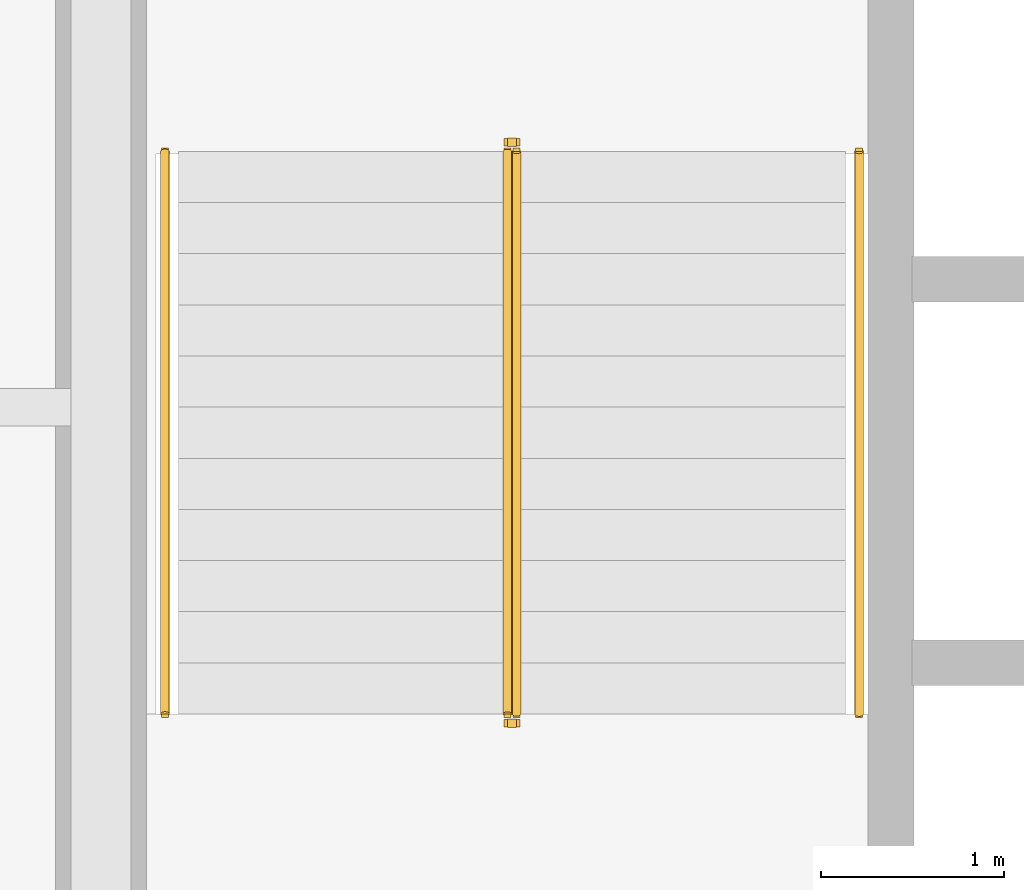
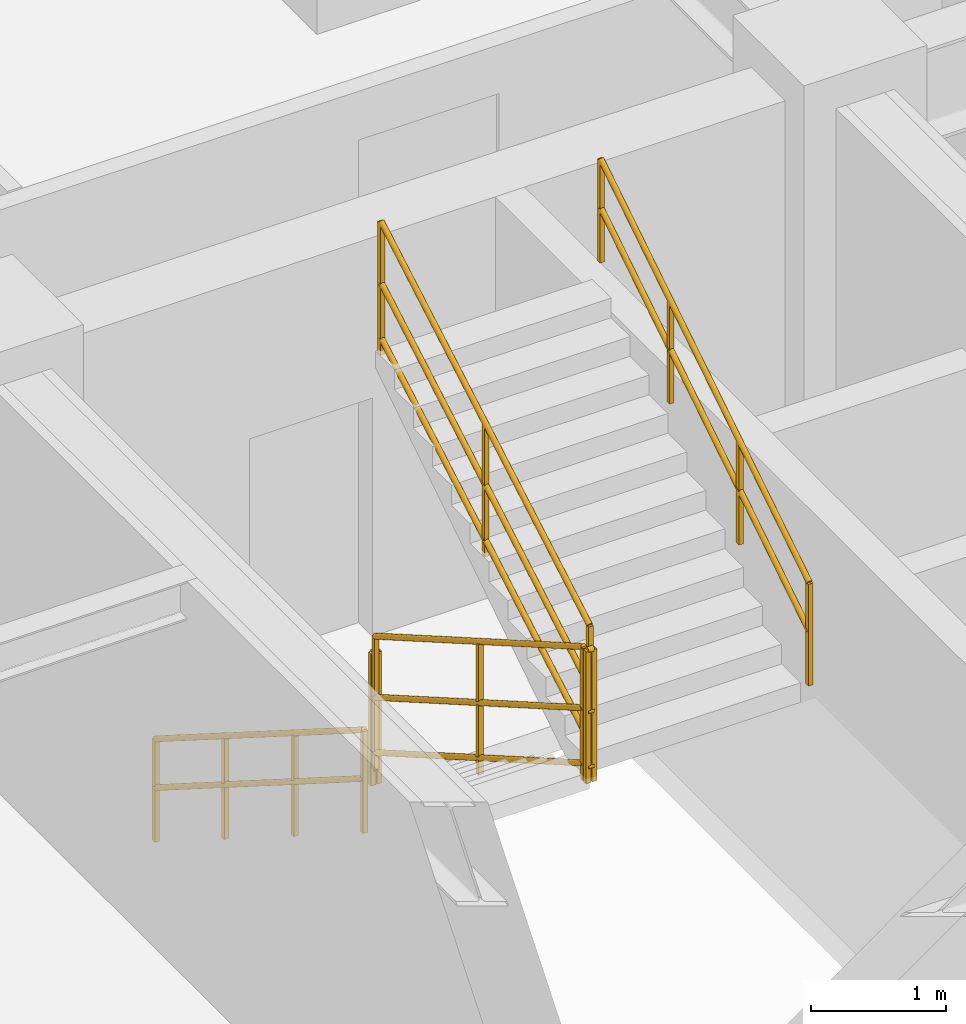
# One storey, part 10 of 10: 6 railings.
"""IFC4 building model written with IfcOpenShell, lengths in metres."""

from ifc_helpers import new_model, entity, si_unit, converted_unit, direction, frame, origin_with_axes, origin_2d_with_axis, place, context, subcontext, project, spatial, rectangle, circle, extrude, material, type_object, element, save


model = new_model("IFC4")

# Units and contexts
model_context = context("Model", 3, precision=1e-05, world=origin_with_axes(), true_north=direction((0.0, 1.0)))
body_context = subcontext(model_context, "Body", "Model", "MODEL_VIEW")
ifc_project = project(units=[si_unit("LENGTHUNIT", "METRE"), si_unit("AREAUNIT", "SQUARE_METRE"), si_unit("VOLUMEUNIT", "CUBIC_METRE"), converted_unit("PLANEANGLEUNIT", "DEGREE", entity("IfcPlaneAngleMeasure", 0.017453292519943295), si_unit("PLANEANGLEUNIT", "RADIAN"), dimensions=[0, 0, 0, 0, 0, 0, 0]), si_unit("MASSUNIT", "GRAM", prefix="KILO"), si_unit("THERMODYNAMICTEMPERATUREUNIT", "KELVIN")], contexts=[model_context])

# Site, building, storey
site_placement = place(None, origin_with_axes())
site = spatial("IfcSite", under=ifc_project, at=site_placement, CompositionType="ELEMENT")
building_placement = place(site_placement, origin_with_axes())
building = spatial("IfcBuilding", under=site, at=building_placement, Name="Varnlund Millrace Tower", CompositionType="ELEMENT")
storey_placement = place(building_placement, frame((0.0, 0.0, 183.6), z_axis=(0.0, 0.0, 1.0), x_axis=(1.0, 0.0, 0.0)))
storey = spatial("IfcBuildingStorey", under=building, at=storey_placement, Name="L45", CompositionType="ELEMENT", Elevation=183.6)

# Railings
ifc_material_1 = material(Name="Painted steel stair well balustrade guard", Category="steel")
railing_type_1 = type_object("IfcRailingType", Name="Type-StairGuard-1150", PredefinedType="GUARDRAIL", material=ifc_material_1)
railing_1_placement = place(storey_placement, frame((0.0, 0.0, -183.6), z_axis=(0.0, 0.0, 1.0), x_axis=(1.0, 0.0, 0.0)))
element("IfcRailing", 1, at=railing_1_placement, inside=storey, type_object=railing_type_1, Name="Type-StairGuard-1150", PredefinedType="GUARDRAIL", context=body_context, shape_type="SweptSolid", body=[
    extrude(circle(Radius=0.024, at=origin_2d_with_axis()), frame((13.625, 35.9, 184.927273), z_axis=(0.0, -0.866696, 0.498836), x_axis=(1.0, 0.0, 0.0)), (0.0, 0.0, 1.0), 3.553725),
    extrude(circle(Radius=0.024, at=origin_2d_with_axis()), frame((13.625, 35.9, 183.877273), z_axis=(0.0, -0.866696, 0.498836), x_axis=(1.0, 0.0, 0.0)), (0.0, 0.0, 1.0), 3.553725),
    extrude(circle(Radius=0.024, at=origin_2d_with_axis()), frame((13.625, 35.9, 184.375273), z_axis=(0.0, -0.866696, 0.498836), x_axis=(1.0, 0.0, 0.0)), (0.0, 0.0, 1.0), 3.553725),
    extrude(rectangle(XDim=0.04, YDim=0.04, at=origin_2d_with_axis()), frame((13.625, 35.9, 183.737273), z_axis=(0.0, 0.0, 1.0), x_axis=(1.0, 0.0, 0.0)), (0.0, 0.0, 1.0), 1.19),
    extrude(rectangle(XDim=0.04, YDim=0.04, at=origin_2d_with_axis()), frame((13.625, 34.36, 184.623636), z_axis=(0.0, 0.0, 1.0), x_axis=(1.0, 0.0, 0.0)), (0.0, 0.0, 1.0), 1.19),
    extrude(rectangle(XDim=0.04, YDim=0.04, at=origin_2d_with_axis()), frame((13.625, 32.82, 185.51), z_axis=(0.0, 0.0, 1.0), x_axis=(1.0, 0.0, 0.0)), (0.0, 0.0, 1.0), 1.19),
])
railing_2_placement = place(storey_placement, frame((0.0, 0.0, -183.6), z_axis=(0.0, 0.0, 1.0), x_axis=(1.0, 0.0, 0.0)))
element("IfcRailing", 2, at=railing_2_placement, inside=storey, type_object=railing_type_1, Name="Type-StairGuard-1150", PredefinedType="GUARDRAIL", context=body_context, shape_type="SweptSolid", body=[
    extrude(circle(Radius=0.024, at=origin_2d_with_axis()), frame((13.675, 32.77, 186.7), z_axis=(-1.0, 0.0, 0.0), x_axis=(0.0, -1.0, 0.0)), (0.0, 0.0, 1.0), 0.05),
    extrude(circle(Radius=0.024, at=origin_2d_with_axis()), frame((13.675, 32.77, 185.65), z_axis=(-1.0, 0.0, 0.0), x_axis=(0.0, -1.0, 0.0)), (0.0, 0.0, 1.0), 0.05),
    extrude(circle(Radius=0.024, at=origin_2d_with_axis()), frame((13.675, 32.77, 186.148), z_axis=(-1.0, 0.0, 0.0), x_axis=(0.0, -1.0, 0.0)), (0.0, 0.0, 1.0), 0.05),
    extrude(rectangle(XDim=0.04, YDim=0.04, at=origin_2d_with_axis()), frame((13.675, 32.77, 185.51), z_axis=(0.0, 0.0, 1.0), x_axis=(1.0, 0.0, 0.0)), (0.0, 0.0, 1.0), 1.19),
    extrude(rectangle(XDim=0.04, YDim=0.04, at=origin_2d_with_axis()), frame((13.625, 32.77, 185.51), z_axis=(0.0, 0.0, 1.0), x_axis=(1.0, 0.0, 0.0)), (0.0, 0.0, 1.0), 1.19),
])
railing_3_placement = place(storey_placement, frame((0.0, 0.0, -183.6), z_axis=(0.0, 0.0, 1.0), x_axis=(1.0, 0.0, 0.0)))
element("IfcRailing", 3, at=railing_3_placement, inside=storey, type_object=railing_type_1, Name="Type-StairGuard-1150", PredefinedType="GUARDRAIL", context=body_context, shape_type="SweptSolid", body=[
    extrude(circle(Radius=0.024, at=origin_2d_with_axis()), frame((13.675, 32.82, 186.877273), z_axis=(0.0, 0.866696, 0.498836), x_axis=(-1.0, 0.0, 0.0)), (0.0, 0.0, 1.0), 3.553725),
    extrude(circle(Radius=0.024, at=origin_2d_with_axis()), frame((13.675, 32.82, 185.827273), z_axis=(0.0, 0.866696, 0.498836), x_axis=(-1.0, 0.0, 0.0)), (0.0, 0.0, 1.0), 3.553725),
    extrude(circle(Radius=0.024, at=origin_2d_with_axis()), frame((13.675, 32.82, 186.325273), z_axis=(0.0, 0.866696, 0.498836), x_axis=(-1.0, 0.0, 0.0)), (0.0, 0.0, 1.0), 3.553725),
    extrude(rectangle(XDim=0.04, YDim=0.04, at=origin_2d_with_axis()), frame((13.675, 32.82, 185.687273), z_axis=(0.0, 0.0, 1.0), x_axis=(1.0, 0.0, 0.0)), (0.0, 0.0, 1.0), 1.19),
    extrude(rectangle(XDim=0.04, YDim=0.04, at=origin_2d_with_axis()), frame((13.675, 34.36, 186.573636), z_axis=(0.0, 0.0, 1.0), x_axis=(1.0, 0.0, 0.0)), (0.0, 0.0, 1.0), 1.19),
    extrude(rectangle(XDim=0.04, YDim=0.04, at=origin_2d_with_axis()), frame((13.675, 35.9, 187.46), z_axis=(0.0, 0.0, 1.0), x_axis=(1.0, 0.0, 0.0)), (0.0, 0.0, 1.0), 1.19),
])
railing_4_placement = place(storey_placement, frame((0.0, 0.0, -183.6), z_axis=(0.0, 0.0, 1.0), x_axis=(1.0, 0.0, 0.0)))
element("IfcRailing", 4, at=railing_4_placement, inside=storey, type_object=railing_type_1, Name="Type-StairGuard-1150", PredefinedType="GUARDRAIL", context=body_context, shape_type="SweptSolid", body=[
    extrude(circle(Radius=0.024, at=origin_2d_with_axis()), frame((13.675, 35.95, 184.75), z_axis=(-1.0, 0.0, 0.0), x_axis=(0.0, -1.0, 0.0)), (0.0, 0.0, 1.0), 0.05),
    extrude(circle(Radius=0.024, at=origin_2d_with_axis()), frame((13.675, 35.95, 183.7), z_axis=(-1.0, 0.0, 0.0), x_axis=(0.0, -1.0, 0.0)), (0.0, 0.0, 1.0), 0.05),
    extrude(circle(Radius=0.024, at=origin_2d_with_axis()), frame((13.675, 35.95, 184.198), z_axis=(-1.0, 0.0, 0.0), x_axis=(0.0, -1.0, 0.0)), (0.0, 0.0, 1.0), 0.05),
    extrude(rectangle(XDim=0.04, YDim=0.04, at=origin_2d_with_axis()), frame((13.675, 35.95, 183.56), z_axis=(0.0, 0.0, 1.0), x_axis=(1.0, 0.0, 0.0)), (0.0, 0.0, 1.0), 1.19),
    extrude(rectangle(XDim=0.04, YDim=0.04, at=origin_2d_with_axis()), frame((13.625, 35.95, 183.56), z_axis=(0.0, 0.0, 1.0), x_axis=(1.0, 0.0, 0.0)), (0.0, 0.0, 1.0), 1.19),
])
ifc_material_2 = material(Name="Brushed architectural bronze stair handrail", Category="aluminium")
railing_type_2 = type_object("IfcRailingType", Name="Type-StairHandrail-900", PredefinedType="HANDRAIL", material=ifc_material_2)
railing_5_placement = place(storey_placement, frame((0.0, 0.0, -183.6), z_axis=(0.0, 0.0, 1.0), x_axis=(1.0, 0.0, 0.0)))
element("IfcRailing", 5, at=railing_5_placement, inside=storey, type_object=railing_type_2, Name="Type-StairHandrail-900", PredefinedType="HANDRAIL", context=body_context, shape_type="SweptSolid", body=[
    extrude(circle(Radius=0.024, at=origin_2d_with_axis()), frame((11.75, 35.9, 184.656995), z_axis=(0.0, -0.844902, 0.534922), x_axis=(1.0, 0.0, 0.0)), (0.0, 0.0, 1.0), 3.645394),
    extrude(circle(Radius=0.024, at=origin_2d_with_axis()), frame((11.75, 35.9, 184.217134), z_axis=(0.0, -0.844902, 0.534922), x_axis=(1.0, 0.0, 0.0)), (0.0, 0.0, 1.0), 3.645394),
    extrude(rectangle(XDim=0.04, YDim=0.04, at=origin_2d_with_axis()), frame((11.75, 35.9, 183.737273), z_axis=(0.0, 0.0, 1.0), x_axis=(1.0, 0.0, 0.0)), (0.0, 0.0, 1.0), 0.919722),
    extrude(rectangle(XDim=0.04, YDim=0.04, at=origin_2d_with_axis()), frame((11.75, 34.873333, 184.387273), z_axis=(0.0, 0.0, 1.0), x_axis=(1.0, 0.0, 0.0)), (0.0, 0.0, 1.0), 0.919722),
    extrude(rectangle(XDim=0.04, YDim=0.04, at=origin_2d_with_axis()), frame((11.75, 33.846667, 185.037273), z_axis=(0.0, 0.0, 1.0), x_axis=(1.0, 0.0, 0.0)), (0.0, 0.0, 1.0), 0.919722),
    extrude(rectangle(XDim=0.04, YDim=0.04, at=origin_2d_with_axis()), frame((11.75, 32.82, 185.687273), z_axis=(0.0, 0.0, 1.0), x_axis=(1.0, 0.0, 0.0)), (0.0, 0.0, 1.0), 0.919722),
])
railing_6_placement = place(storey_placement, frame((0.0, 0.0, -183.6), z_axis=(0.0, 0.0, 1.0), x_axis=(1.0, 0.0, 0.0)))
element("IfcRailing", 6, at=railing_6_placement, inside=storey, type_object=railing_type_2, Name="Type-StairHandrail-900", PredefinedType="HANDRAIL", context=body_context, shape_type="SweptSolid", body=[
    extrude(circle(Radius=0.024, at=origin_2d_with_axis()), frame((15.55, 32.82, 186.606995), z_axis=(0.0, 0.844902, 0.534922), x_axis=(-1.0, 0.0, 0.0)), (0.0, 0.0, 1.0), 3.645394),
    extrude(circle(Radius=0.024, at=origin_2d_with_axis()), frame((15.55, 32.82, 186.167134), z_axis=(0.0, 0.844902, 0.534922), x_axis=(-1.0, 0.0, 0.0)), (0.0, 0.0, 1.0), 3.645394),
    extrude(rectangle(XDim=0.04, YDim=0.04, at=origin_2d_with_axis()), frame((15.55, 32.82, 185.687273), z_axis=(0.0, 0.0, 1.0), x_axis=(1.0, 0.0, 0.0)), (0.0, 0.0, 1.0), 0.919722),
    extrude(rectangle(XDim=0.04, YDim=0.04, at=origin_2d_with_axis()), frame((15.55, 33.846667, 186.337273), z_axis=(0.0, 0.0, 1.0), x_axis=(1.0, 0.0, 0.0)), (0.0, 0.0, 1.0), 0.919722),
    extrude(rectangle(XDim=0.04, YDim=0.04, at=origin_2d_with_axis()), frame((15.55, 34.873333, 186.987273), z_axis=(0.0, 0.0, 1.0), x_axis=(1.0, 0.0, 0.0)), (0.0, 0.0, 1.0), 0.919722),
    extrude(rectangle(XDim=0.04, YDim=0.04, at=origin_2d_with_axis()), frame((15.55, 35.9, 187.637273), z_axis=(0.0, 0.0, 1.0), x_axis=(1.0, 0.0, 0.0)), (0.0, 0.0, 1.0), 0.919722),
])

save(model, "model.ifc")
